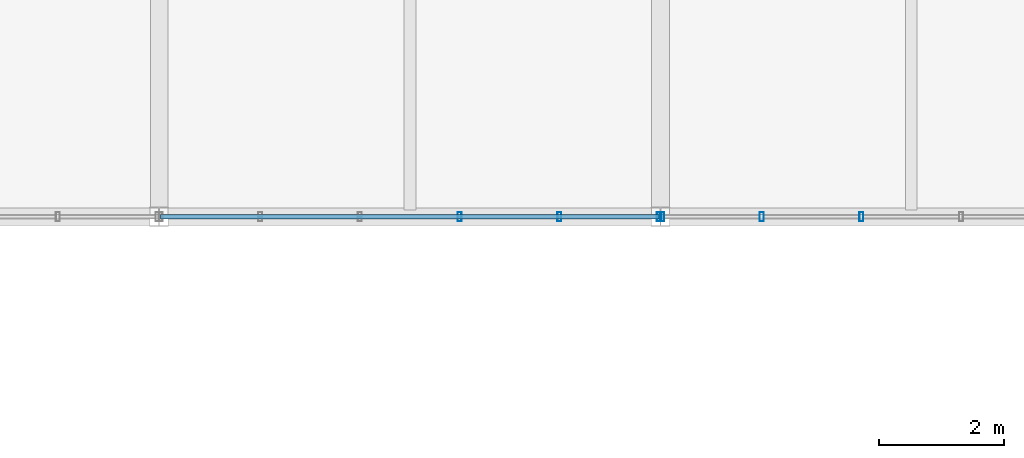
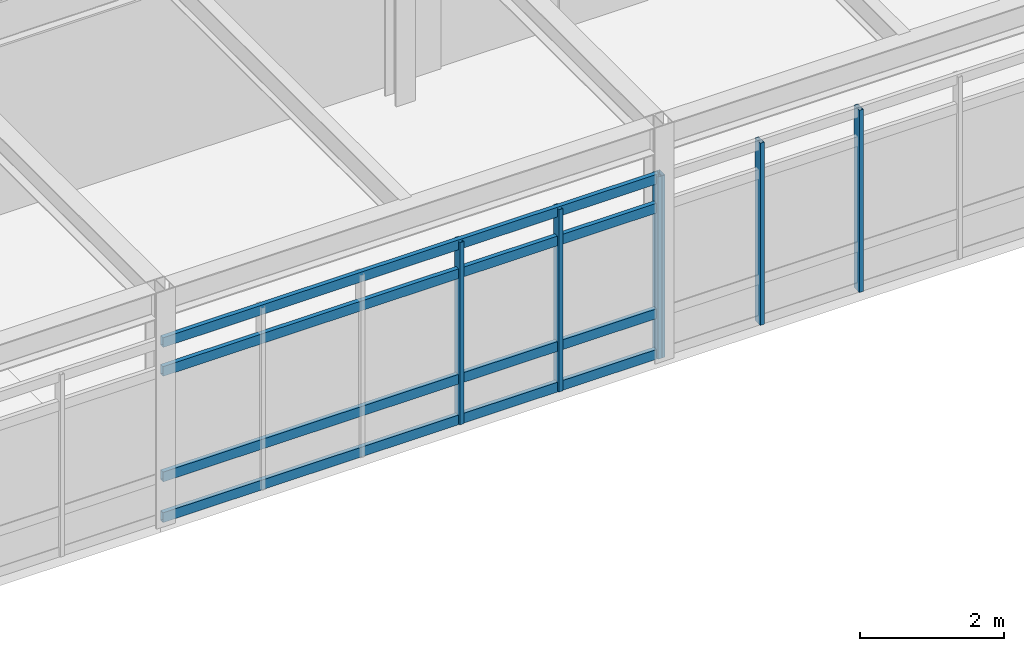
# One storey, part 25 of 45: 10 members, 2 elements without a shape of their own.
"""IFC4 building model written with IfcOpenShell, lengths in metres."""

from ifc_helpers import new_model, si_unit, direction, frame, origin, origin_2d, place, context, subcontext, project, spatial, hollow_rectangle, extrude, material, material_profile, profile_set, type_object, element, aggregate, save


model = new_model("IFC4")

# Units and contexts
model_context = context("Model", 3, precision=1e-05, world=origin(), true_north=direction((0.0, 1.0)))
body_context = subcontext(model_context, "Body", "Model", "MODEL_VIEW")
ifc_project = project(units=[si_unit("LENGTHUNIT", "METRE"), si_unit("AREAUNIT", "SQUARE_METRE"), si_unit("VOLUMEUNIT", "CUBIC_METRE"), si_unit("PLANEANGLEUNIT", "RADIAN"), si_unit("MASSUNIT", "GRAM", prefix="KILO")], contexts=[model_context])

# Site, building, storey
site_placement = place(None, origin())
site = spatial("IfcSite", under=ifc_project, at=site_placement, CompositionType="ELEMENT")
building_placement = place(site_placement, origin())
building = spatial("IfcBuilding", under=site, at=building_placement, Name="Zulena Civic Courthouse", CompositionType="ELEMENT")
storey_placement = place(building_placement, frame((0.0, 0.0, 29.39990234375)))
storey = spatial("IfcBuildingStorey", under=building, at=storey_placement, Name="L06", CompositionType="ELEMENT", Elevation=29.39990234375)

# Curtain wall, members
ifc_material_1 = material(Name="Double-silver low-E laminated solar-control glass", Category="glass")
curtain_wall_type = type_object("IfcCurtainWallType", Name="CW_7952x3090", PredefinedType="USERDEFINED", material=ifc_material_1)
curtain_wall_1_placement = place(storey_placement, origin())
curtain_wall_1 = element("IfcCurtainWall", 1, at=curtain_wall_1_placement, inside=storey, type_object=curtain_wall_type, Name="cw:V5:L06:5:2", ObjectType="UNITISED CURTAIN WALL", PredefinedType="USERDEFINED")
ifc_material_2 = material(Name="Bronze anodised thermally broken aluminium AA6063-T6", Category="aluminium")
ifc_material_profile_1 = material_profile(ifc_material_2, hollow_rectangle(XDim=0.06494140625, YDim=0.14990234375, WallThickness=0.00390625, at=origin_2d()), Name="CWM150X65X4")
ifc_profile_set_1 = profile_set([ifc_material_profile_1], Name="Bronze anodised thermally broken aluminium AA6063-T6")
member_type_1 = type_object("IfcMemberType", Name="CWMullion_150x65", PredefinedType="MULLION", material=ifc_profile_set_1)
member_1_placement = place(storey_placement, frame((79.204833984375, 46.0, 0.0), z_axis=(0.0, 0.0, 1.0), x_axis=(1.0, 0.0, 0.0)))
member_1 = element("IfcMember", 2, at=member_1_placement, type_object=member_type_1, Name="cw:V5:L06:5:2:mull:3", PredefinedType="MULLION", context=body_context, shape_type="SweptSolid", body=[
    extrude(hollow_rectangle(XDim=0.06494140625, YDim=0.14990234375, WallThickness=0.00390625, at=origin_2d()), origin(), (0.0, 0.0, 1.0), 3.090087890625),
])
member_2_placement = place(storey_placement, frame((77.614501953125, 46.0, 0.0), z_axis=(0.0, 0.0, 1.0), x_axis=(1.0, 0.0, 0.0)))
member_2 = element("IfcMember", 3, at=member_2_placement, type_object=member_type_1, Name="cw:V5:L06:5:2:mull:4", PredefinedType="MULLION", context=body_context, shape_type="SweptSolid", body=[
    extrude(hollow_rectangle(XDim=0.06494140625, YDim=0.14990234375, WallThickness=0.00390625, at=origin_2d()), origin(), (0.0, 0.0, 1.0), 3.090087890625),
])
member_3_placement = place(storey_placement, frame((76.02392578125, 46.0, 0.0), z_axis=(0.0, 0.0, 1.0), x_axis=(1.0, 0.0, 0.0)))
member_3 = element("IfcMember", 4, at=member_3_placement, type_object=member_type_1, Name="cw:V5:L06:5:2:mull:5", PredefinedType="MULLION", context=body_context, shape_type="SweptSolid", body=[
    extrude(hollow_rectangle(XDim=0.06494140625, YDim=0.14990234375, WallThickness=0.00390625, at=origin_2d()), origin(), (0.0, 0.0, 1.0), 3.090087890625),
])
aggregate(curtain_wall_1, [member_1, member_2, member_3])

curtain_wall_2_placement = place(storey_placement, origin())
curtain_wall_2 = element("IfcCurtainWall", 5, at=curtain_wall_2_placement, inside=storey, type_object=curtain_wall_type, Name="cw:V5:L06:5:3", ObjectType="UNITISED CURTAIN WALL", PredefinedType="USERDEFINED")
member_4_placement = place(storey_placement, frame((75.97607421875, 46.0, 0.0), z_axis=(0.0, 0.0, 1.0), x_axis=(1.0, 0.0, 0.0)))
member_4 = element("IfcMember", 6, at=member_4_placement, type_object=member_type_1, Name="cw:V5:L06:5:3:mull:0", PredefinedType="MULLION", context=body_context, shape_type="SweptSolid", body=[
    extrude(hollow_rectangle(XDim=0.06494140625, YDim=0.14990234375, WallThickness=0.00390625, at=origin_2d()), origin(), (0.0, 0.0, 1.0), 3.090087890625),
])
member_5_placement = place(storey_placement, frame((74.385498046875, 46.0, 0.0), z_axis=(0.0, 0.0, 1.0), x_axis=(1.0, 0.0, 0.0)))
member_5 = element("IfcMember", 7, at=member_5_placement, type_object=member_type_1, Name="cw:V5:L06:5:3:mull:1", PredefinedType="MULLION", context=body_context, shape_type="SweptSolid", body=[
    extrude(hollow_rectangle(XDim=0.06494140625, YDim=0.14990234375, WallThickness=0.00390625, at=origin_2d()), origin(), (0.0, 0.0, 1.0), 3.090087890625),
])
member_6_placement = place(storey_placement, frame((72.795166015625, 46.0, 0.0), z_axis=(0.0, 0.0, 1.0), x_axis=(1.0, 0.0, 0.0)))
member_6 = element("IfcMember", 8, at=member_6_placement, type_object=member_type_1, Name="cw:V5:L06:5:3:mull:2", PredefinedType="MULLION", context=body_context, shape_type="SweptSolid", body=[
    extrude(hollow_rectangle(XDim=0.06494140625, YDim=0.14990234375, WallThickness=0.00390625, at=origin_2d()), origin(), (0.0, 0.0, 1.0), 3.090087890625),
])
ifc_material_profile_2 = material_profile(ifc_material_2, hollow_rectangle(XDim=0.070068359375, YDim=0.1650390625, WallThickness=0.00390625, at=origin_2d()), Name="CWT165X70X4")
ifc_profile_set_2 = profile_set([ifc_material_profile_2], Name="Bronze anodised thermally broken aluminium AA6063-T6")
member_type_2 = type_object("IfcMemberType", Name="CWTransom_165x70", PredefinedType="USERDEFINED", material=ifc_profile_set_2)
member_7_placement = place(storey_placement, frame((75.97607421875, 46.0, 0.06005859375), z_axis=(-1.0, 0.0, 0.0), x_axis=(0.0, -1.0, 0.0)))
member_7 = element("IfcMember", 9, at=member_7_placement, type_object=member_type_2, Name="cw:V5:L06:5:3:tran:0", ObjectType="TRANSOM", PredefinedType="USERDEFINED", context=body_context, shape_type="SweptSolid", body=[
    extrude(hollow_rectangle(XDim=0.070068359375, YDim=0.1650390625, WallThickness=0.00390625, at=origin_2d()), origin(), (0.0, 0.0, 1.0), 7.9521484375),
])
member_8_placement = place(storey_placement, frame((75.97607421875, 46.0, 0.75), z_axis=(-1.0, 0.0, 0.0), x_axis=(0.0, -1.0, 0.0)))
member_8 = element("IfcMember", 10, at=member_8_placement, type_object=member_type_2, Name="cw:V5:L06:5:3:tran:1", ObjectType="TRANSOM", PredefinedType="USERDEFINED", context=body_context, shape_type="SweptSolid", body=[
    extrude(hollow_rectangle(XDim=0.070068359375, YDim=0.1650390625, WallThickness=0.00390625, at=origin_2d()), origin(), (0.0, 0.0, 1.0), 7.9521484375),
])
member_9_placement = place(storey_placement, frame((75.97607421875, 46.0, 2.5400390625), z_axis=(-1.0, 0.0, 0.0), x_axis=(0.0, -1.0, 0.0)))
member_9 = element("IfcMember", 11, at=member_9_placement, type_object=member_type_2, Name="cw:V5:L06:5:3:tran:2", ObjectType="TRANSOM", PredefinedType="USERDEFINED", context=body_context, shape_type="SweptSolid", body=[
    extrude(hollow_rectangle(XDim=0.070068359375, YDim=0.1650390625, WallThickness=0.00390625, at=origin_2d()), origin(), (0.0, 0.0, 1.0), 7.9521484375),
])
member_10_placement = place(storey_placement, frame((75.97607421875, 46.0, 3.030029296875), z_axis=(-1.0, 0.0, 0.0), x_axis=(0.0, -1.0, 0.0)))
member_10 = element("IfcMember", 12, at=member_10_placement, type_object=member_type_2, Name="cw:V5:L06:5:3:tran:3", ObjectType="TRANSOM", PredefinedType="USERDEFINED", context=body_context, shape_type="SweptSolid", body=[
    extrude(hollow_rectangle(XDim=0.070068359375, YDim=0.1650390625, WallThickness=0.00390625, at=origin_2d()), origin(), (0.0, 0.0, 1.0), 7.9521484375),
])
aggregate(curtain_wall_2, [member_4, member_5, member_6, member_7, member_8, member_9, member_10])

save(model, "model.ifc")
